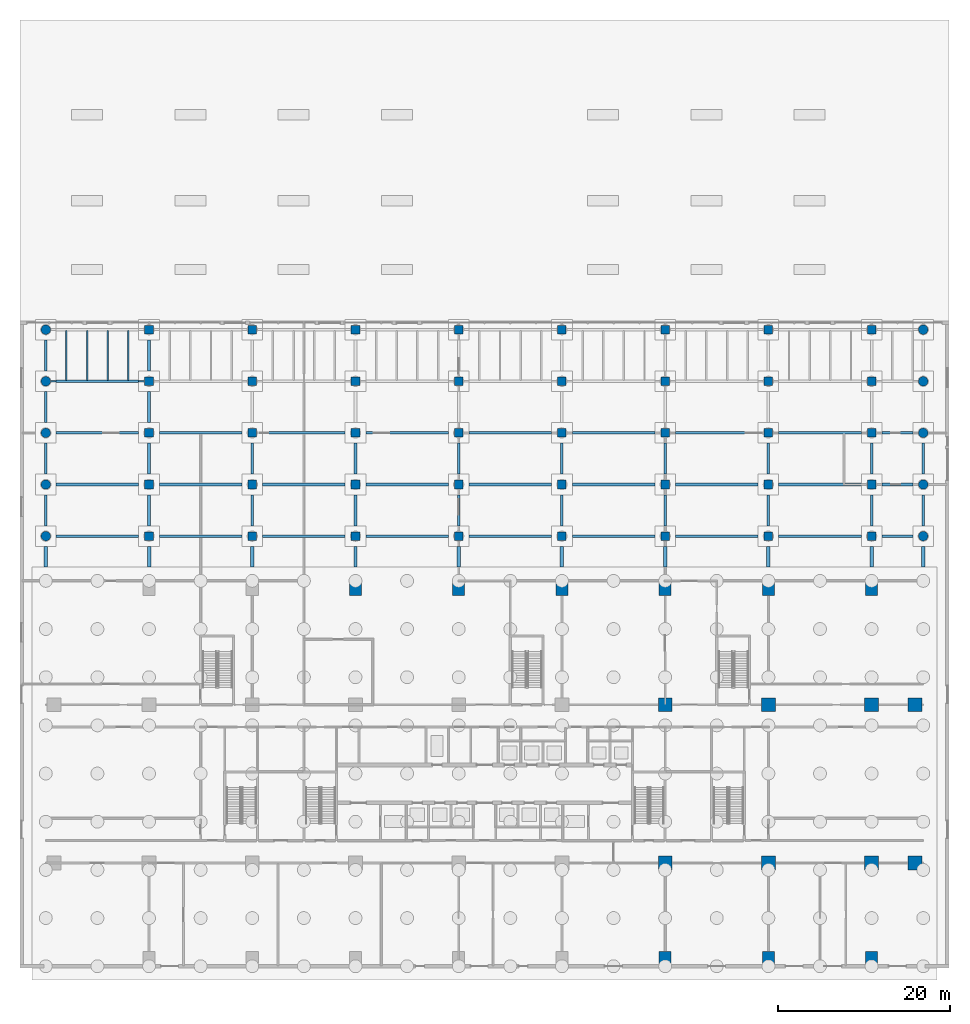
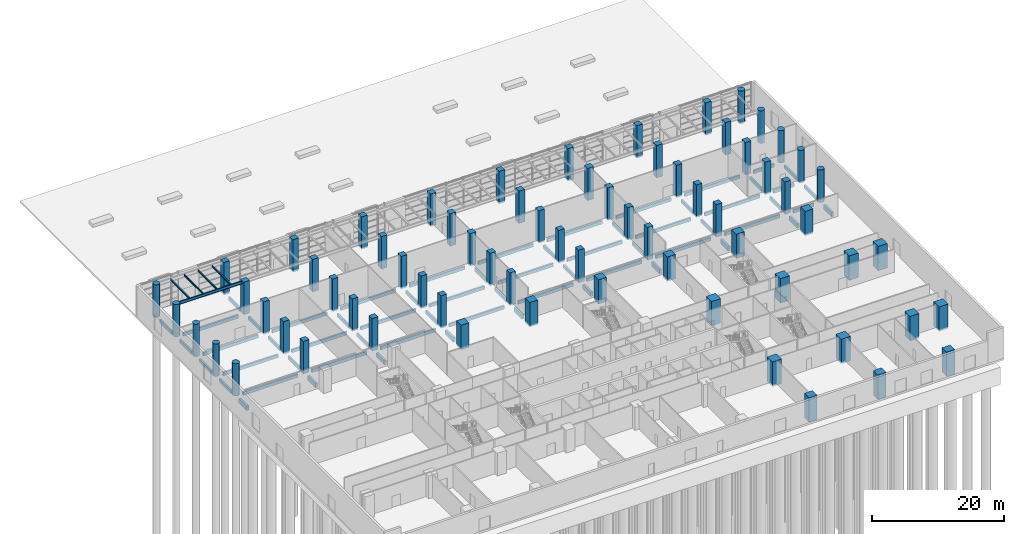
# One storey, part 2 of 27: 67 beams, 67 columns.
"""IFC4 building model written with IfcOpenShell, lengths in metres."""

from ifc_helpers import new_model, si_unit, direction, frame, origin, origin_2d, place, context, subcontext, project, spatial, rectangle, circle, i_section, extrude, source, transform, mapped, material, material_profile, profile_set, type_object, element, save


model = new_model("IFC4")

# Units and contexts
model_context = context("Model", 3, precision=1e-05, world=origin(), true_north=direction((0.0, 1.0)))
body_context = subcontext(model_context, "Body", "Model", "MODEL_VIEW")
ifc_project = project(units=[si_unit("LENGTHUNIT", "METRE"), si_unit("AREAUNIT", "SQUARE_METRE"), si_unit("VOLUMEUNIT", "CUBIC_METRE"), si_unit("PLANEANGLEUNIT", "RADIAN"), si_unit("MASSUNIT", "GRAM", prefix="KILO")], contexts=[model_context])

# Site, building, storey
site_placement = place(None, origin())
site = spatial("IfcSite", under=ifc_project, at=site_placement, CompositionType="ELEMENT")
building_placement = place(site_placement, origin())
building = spatial("IfcBuilding", under=site, at=building_placement, Name="Poui Terraces", CompositionType="ELEMENT")
storey_placement = place(building_placement, origin())
storey = spatial("IfcBuildingStorey", under=building, at=storey_placement, Name="L00", CompositionType="ELEMENT", Elevation=0.0)

# Columns
ifc_material_1 = material(Name="Concrete 80 MPa", Category="concrete")
ifc_material_profile_1 = material_profile(ifc_material_1, rectangle(XDim=1.60009765625, YDim=1.60009765625, at=origin_2d()), Name="RC 1600x1600")
ifc_profile_set_1 = profile_set([ifc_material_profile_1], Name="Concrete 80 MPa")
column_type_1 = type_object("IfcColumnType", Name="COLUMN 1600x1600 80MPa", PredefinedType="COLUMN", material=ifc_profile_set_1)
shared_shape_1 = source(origin(), body_context, "Body", "SweptSolid", [
    extrude(rectangle(XDim=1.60009765625, YDim=1.60009765625, at=origin_2d()), origin(), (0.0, 0.0, 1.0), 4.5),
])
for number, where, z_axis, x_axis, name in (
    (1, (72.0, 12.0, -0.300048828125), (0.0, 0.0, 1.0), (1.0, 0.0, 0.0), "COLUMN 7B"),
    (2, (72.0, 30.39990234375, -0.300048828125), (0.0, 0.0, 1.0), (1.0, 0.0, 0.0), "COLUMN 7E"),
    (3, (84.0, 12.0, -0.300048828125), (0.0, 0.0, 1.0), (1.0, 0.0, 0.0), "COLUMN 8B"),
    (4, (84.0, 30.39990234375, -0.300048828125), (0.0, 0.0, 1.0), (1.0, 0.0, 0.0), "COLUMN 8E"),
    (5, (96.0, 12.0, -0.300048828125), (0.0, 0.0, 1.0), (1.0, 0.0, 0.0), "COLUMN 9B"),
    (6, (96.0, 30.39990234375, -0.300048828125), (0.0, 0.0, 1.0), (1.0, 0.0, 0.0), "COLUMN 9E"),
    (7, (101.050048828125, 12.0, -0.300048828125), (0.0, 0.0, 1.0), (1.0, 0.0, 0.0), "COLUMN 10B"),
    (8, (101.050048828125, 30.39990234375, -0.300048828125), (0.0, 0.0, 1.0), (1.0, 0.0, 0.0), "COLUMN 10E"),
):
    element("IfcColumn", number, at=place(storey_placement, frame(where, z_axis=z_axis, x_axis=x_axis)), inside=storey, type_object=column_type_1, Name=name, PredefinedType="COLUMN", context=body_context, shape_type="MappedRepresentation", body=[
        mapped(shared_shape_1, transform((0.0, 0.0, 0.0))),
    ])
ifc_material_profile_2 = material_profile(ifc_material_1, rectangle(XDim=1.39990234375, YDim=1.39990234375, at=origin_2d()), Name="RC 1400x1400")
ifc_profile_set_2 = profile_set([ifc_material_profile_2], Name="Concrete 80 MPa")
column_type_2 = type_object("IfcColumnType", Name="COLUMN 1400x1400 80MPa", PredefinedType="COLUMN", material=ifc_profile_set_2)
shared_shape_2 = source(origin(), body_context, "Body", "SweptSolid", [
    extrude(rectangle(XDim=1.39990234375, YDim=1.39990234375, at=origin_2d()), origin(), (0.0, 0.0, 1.0), 4.5),
])
for number, where, z_axis, x_axis, name in (
    (9, (36.0, 43.800048828125, -0.300048828125), (0.0, 0.0, 1.0), (1.0, 0.0, 0.0), "COLUMN 4N"),
    (10, (48.0, 43.800048828125, -0.300048828125), (0.0, 0.0, 1.0), (1.0, 0.0, 0.0), "COLUMN 5N"),
    (11, (60.0, 43.800048828125, -0.300048828125), (0.0, 0.0, 1.0), (1.0, 0.0, 0.0), "COLUMN 6N"),
    (12, (72.0, 1.0, -0.300048828125), (0.0, 0.0, 1.0), (1.0, 0.0, 0.0), "COLUMN 7S"),
    (13, (72.0, 43.800048828125, -0.300048828125), (0.0, 0.0, 1.0), (1.0, 0.0, 0.0), "COLUMN 7N"),
    (14, (84.0, 1.0, -0.300048828125), (0.0, 0.0, 1.0), (1.0, 0.0, 0.0), "COLUMN 8S"),
    (15, (84.0, 43.800048828125, -0.300048828125), (0.0, 0.0, 1.0), (1.0, 0.0, 0.0), "COLUMN 8N"),
    (16, (96.0, 1.0, -0.300048828125), (0.0, 0.0, 1.0), (1.0, 0.0, 0.0), "COLUMN 9S"),
    (17, (96.0, 43.800048828125, -0.300048828125), (0.0, 0.0, 1.0), (1.0, 0.0, 0.0), "COLUMN 9N"),
):
    element("IfcColumn", number, at=place(storey_placement, frame(where, z_axis=z_axis, x_axis=x_axis)), inside=storey, type_object=column_type_2, Name=name, PredefinedType="COLUMN", context=body_context, shape_type="MappedRepresentation", body=[
        mapped(shared_shape_2, transform((0.0, 0.0, 0.0))),
    ])
ifc_material_profile_3 = material_profile(ifc_material_1, circle(Radius=0.550048828125, at=origin_2d()), Name="RC D1100")
ifc_profile_set_3 = profile_set([ifc_material_profile_3], Name="Concrete 80 MPa")
column_type_3 = type_object("IfcColumnType", Name="COLUMN D1100 80MPa", PredefinedType="COLUMN", material=ifc_profile_set_3)
shared_shape_3 = source(origin(), body_context, "Body", "SweptSolid", [
    extrude(circle(Radius=0.550048828125, at=origin_2d()), origin(), (0.0, 0.0, 1.0), 5.97998046875),
])
for number, where, z_axis, x_axis, name in (
    (18, (0.0, 74.0, -0.300048828125), (0.0, 0.0, 1.0), (1.0, 0.0, 0.0), "COLUMN P0-1R"),
    (19, (102.0, 74.0, -0.300048828125), (0.0, 0.0, 1.0), (1.0, 0.0, 0.0), "COLUMN P0-10R"),
    (20, (0.0, 68.0, -0.300048828125), (0.0, 0.0, 1.0), (1.0, 0.0, 0.0), "COLUMN P1-1R"),
    (21, (102.0, 68.0, -0.300048828125), (0.0, 0.0, 1.0), (1.0, 0.0, 0.0), "COLUMN P1-10R"),
    (22, (0.0, 62.0, -0.300048828125), (0.0, 0.0, 1.0), (1.0, 0.0, 0.0), "COLUMN P2-1R"),
    (23, (102.0, 62.0, -0.300048828125), (0.0, 0.0, 1.0), (1.0, 0.0, 0.0), "COLUMN P2-10R"),
    (24, (0.0, 56.0, -0.300048828125), (0.0, 0.0, 1.0), (1.0, 0.0, 0.0), "COLUMN P3-1R"),
    (25, (102.0, 56.0, -0.300048828125), (0.0, 0.0, 1.0), (1.0, 0.0, 0.0), "COLUMN P3-10R"),
    (26, (0.0, 50.0, -0.300048828125), (0.0, 0.0, 1.0), (1.0, 0.0, 0.0), "COLUMN P4-1R"),
    (27, (102.0, 50.0, -0.300048828125), (0.0, 0.0, 1.0), (1.0, 0.0, 0.0), "COLUMN P4-10R"),
):
    element("IfcColumn", number, at=place(storey_placement, frame(where, z_axis=z_axis, x_axis=x_axis)), inside=storey, type_object=column_type_3, Name=name, PredefinedType="COLUMN", context=body_context, shape_type="MappedRepresentation", body=[
        mapped(shared_shape_3, transform((0.0, 0.0, 0.0))),
    ])
ifc_material_profile_4 = material_profile(ifc_material_1, rectangle(XDim=1.0, YDim=1.0, at=origin_2d()), Name="RC 1000x1000")
ifc_profile_set_4 = profile_set([ifc_material_profile_4], Name="Concrete 80 MPa")
column_type_4 = type_object("IfcColumnType", Name="COLUMN 1000x1000 80MPa", PredefinedType="COLUMN", material=ifc_profile_set_4)
shared_shape_4 = source(origin(), body_context, "Body", "SweptSolid", [
    extrude(rectangle(XDim=1.0, YDim=1.0, at=origin_2d()), origin(), (0.0, 0.0, 1.0), 5.97998046875),
])
for number, where, z_axis, x_axis, name in (
    (28, (12.0, 74.0, -0.300048828125), (0.0, 0.0, 1.0), (1.0, 0.0, 0.0), "COLUMN P0-2"),
    (29, (24.0, 74.0, -0.300048828125), (0.0, 0.0, 1.0), (1.0, 0.0, 0.0), "COLUMN P0-3"),
    (30, (36.0, 74.0, -0.300048828125), (0.0, 0.0, 1.0), (1.0, 0.0, 0.0), "COLUMN P0-4"),
    (31, (48.0, 74.0, -0.300048828125), (0.0, 0.0, 1.0), (1.0, 0.0, 0.0), "COLUMN P0-5"),
    (32, (60.0, 74.0, -0.300048828125), (0.0, 0.0, 1.0), (1.0, 0.0, 0.0), "COLUMN P0-6"),
    (33, (72.0, 74.0, -0.300048828125), (0.0, 0.0, 1.0), (1.0, 0.0, 0.0), "COLUMN P0-7"),
    (34, (84.0, 74.0, -0.300048828125), (0.0, 0.0, 1.0), (1.0, 0.0, 0.0), "COLUMN P0-8"),
    (35, (96.0, 74.0, -0.300048828125), (0.0, 0.0, 1.0), (1.0, 0.0, 0.0), "COLUMN P0-9"),
    (36, (12.0, 68.0, -0.300048828125), (0.0, 0.0, 1.0), (1.0, 0.0, 0.0), "COLUMN P1-2"),
    (37, (24.0, 68.0, -0.300048828125), (0.0, 0.0, 1.0), (1.0, 0.0, 0.0), "COLUMN P1-3"),
    (38, (36.0, 68.0, -0.300048828125), (0.0, 0.0, 1.0), (1.0, 0.0, 0.0), "COLUMN P1-4"),
    (39, (48.0, 68.0, -0.300048828125), (0.0, 0.0, 1.0), (1.0, 0.0, 0.0), "COLUMN P1-5"),
    (40, (60.0, 68.0, -0.300048828125), (0.0, 0.0, 1.0), (1.0, 0.0, 0.0), "COLUMN P1-6"),
    (41, (72.0, 68.0, -0.300048828125), (0.0, 0.0, 1.0), (1.0, 0.0, 0.0), "COLUMN P1-7"),
    (42, (84.0, 68.0, -0.300048828125), (0.0, 0.0, 1.0), (1.0, 0.0, 0.0), "COLUMN P1-8"),
    (43, (96.0, 68.0, -0.300048828125), (0.0, 0.0, 1.0), (1.0, 0.0, 0.0), "COLUMN P1-9"),
    (44, (12.0, 62.0, -0.300048828125), (0.0, 0.0, 1.0), (1.0, 0.0, 0.0), "COLUMN P2-2"),
    (45, (24.0, 62.0, -0.300048828125), (0.0, 0.0, 1.0), (1.0, 0.0, 0.0), "COLUMN P2-3"),
    (46, (36.0, 62.0, -0.300048828125), (0.0, 0.0, 1.0), (1.0, 0.0, 0.0), "COLUMN P2-4"),
    (47, (48.0, 62.0, -0.300048828125), (0.0, 0.0, 1.0), (1.0, 0.0, 0.0), "COLUMN P2-5"),
    (48, (60.0, 62.0, -0.300048828125), (0.0, 0.0, 1.0), (1.0, 0.0, 0.0), "COLUMN P2-6"),
    (49, (72.0, 62.0, -0.300048828125), (0.0, 0.0, 1.0), (1.0, 0.0, 0.0), "COLUMN P2-7"),
    (50, (84.0, 62.0, -0.300048828125), (0.0, 0.0, 1.0), (1.0, 0.0, 0.0), "COLUMN P2-8"),
    (51, (96.0, 62.0, -0.300048828125), (0.0, 0.0, 1.0), (1.0, 0.0, 0.0), "COLUMN P2-9"),
    (52, (12.0, 56.0, -0.300048828125), (0.0, 0.0, 1.0), (1.0, 0.0, 0.0), "COLUMN P3-2"),
    (53, (24.0, 56.0, -0.300048828125), (0.0, 0.0, 1.0), (1.0, 0.0, 0.0), "COLUMN P3-3"),
    (54, (36.0, 56.0, -0.300048828125), (0.0, 0.0, 1.0), (1.0, 0.0, 0.0), "COLUMN P3-4"),
    (55, (48.0, 56.0, -0.300048828125), (0.0, 0.0, 1.0), (1.0, 0.0, 0.0), "COLUMN P3-5"),
    (56, (60.0, 56.0, -0.300048828125), (0.0, 0.0, 1.0), (1.0, 0.0, 0.0), "COLUMN P3-6"),
    (57, (72.0, 56.0, -0.300048828125), (0.0, 0.0, 1.0), (1.0, 0.0, 0.0), "COLUMN P3-7"),
    (58, (84.0, 56.0, -0.300048828125), (0.0, 0.0, 1.0), (1.0, 0.0, 0.0), "COLUMN P3-8"),
    (59, (96.0, 56.0, -0.300048828125), (0.0, 0.0, 1.0), (1.0, 0.0, 0.0), "COLUMN P3-9"),
    (60, (12.0, 50.0, -0.300048828125), (0.0, 0.0, 1.0), (1.0, 0.0, 0.0), "COLUMN P4-2"),
    (61, (24.0, 50.0, -0.300048828125), (0.0, 0.0, 1.0), (1.0, 0.0, 0.0), "COLUMN P4-3"),
    (62, (36.0, 50.0, -0.300048828125), (0.0, 0.0, 1.0), (1.0, 0.0, 0.0), "COLUMN P4-4"),
    (63, (48.0, 50.0, -0.300048828125), (0.0, 0.0, 1.0), (1.0, 0.0, 0.0), "COLUMN P4-5"),
    (64, (60.0, 50.0, -0.300048828125), (0.0, 0.0, 1.0), (1.0, 0.0, 0.0), "COLUMN P4-6"),
    (65, (72.0, 50.0, -0.300048828125), (0.0, 0.0, 1.0), (1.0, 0.0, 0.0), "COLUMN P4-7"),
    (66, (84.0, 50.0, -0.300048828125), (0.0, 0.0, 1.0), (1.0, 0.0, 0.0), "COLUMN P4-8"),
    (67, (96.0, 50.0, -0.300048828125), (0.0, 0.0, 1.0), (1.0, 0.0, 0.0), "COLUMN P4-9"),
):
    element("IfcColumn", number, at=place(storey_placement, frame(where, z_axis=z_axis, x_axis=x_axis)), inside=storey, type_object=column_type_4, Name=name, PredefinedType="COLUMN", context=body_context, shape_type="MappedRepresentation", body=[
        mapped(shared_shape_4, transform((0.0, 0.0, 0.0))),
    ])

# Beams
ifc_material_2 = material(Name="Concrete 50 MPa", Category="concrete")
ifc_material_profile_5 = material_profile(ifc_material_2, rectangle(XDim=0.300048828125, YDim=0.60009765625, at=origin_2d()), Name="RC 300x600")
ifc_profile_set_5 = profile_set([ifc_material_profile_5], Name="Concrete 50 MPa")
beam_type_1 = type_object("IfcBeamType", Name="GROUND TIE BEAM 300x600 50MPa", PredefinedType="BEAM", material=ifc_profile_set_5)
shared_shape_5 = source(origin(), body_context, "Body", "SweptSolid", [
    extrude(rectangle(XDim=0.300048828125, YDim=0.60009765625, at=origin_2d()), origin(), (0.0, 0.0, 1.0), 9.60009765625),
])
for number, where, z_axis, x_axis, name in (
    (68, (1.199951171875, 50.0, -0.60009765625), (1.0, 0.0, 0.0), (0.0, 1.0, 0.0), "GROUND TIE BEAM"),
    (69, (13.199951171875, 50.0, -0.60009765625), (1.0, 0.0, 0.0), (0.0, 1.0, 0.0), "GROUND TIE BEAM"),
    (70, (25.199951171875, 50.0, -0.60009765625), (1.0, 0.0, 0.0), (0.0, 1.0, 0.0), "GROUND TIE BEAM"),
    (71, (37.199951171875, 50.0, -0.60009765625), (1.0, 0.0, 0.0), (0.0, 1.0, 0.0), "GROUND TIE BEAM"),
    (72, (49.199951171875, 50.0, -0.60009765625), (1.0, 0.0, 0.0), (0.0, 1.0, 0.0), "GROUND TIE BEAM"),
    (73, (61.199951171875, 50.0, -0.60009765625), (1.0, 0.0, 0.0), (0.0, 1.0, 0.0), "GROUND TIE BEAM"),
    (74, (73.199951171875, 50.0, -0.60009765625), (1.0, 0.0, 0.0), (0.0, 1.0, 0.0), "GROUND TIE BEAM"),
    (75, (85.199951171875, 50.0, -0.60009765625), (1.0, 0.0, 0.0), (0.0, 1.0, 0.0), "GROUND TIE BEAM"),
    (76, (1.199951171875, 56.0, -0.60009765625), (1.0, 0.0, 0.0), (0.0, 1.0, 0.0), "GROUND TIE BEAM"),
    (77, (13.199951171875, 56.0, -0.60009765625), (1.0, 0.0, 0.0), (0.0, 1.0, 0.0), "GROUND TIE BEAM"),
    (78, (25.199951171875, 56.0, -0.60009765625), (1.0, 0.0, 0.0), (0.0, 1.0, 0.0), "GROUND TIE BEAM"),
    (79, (37.199951171875, 56.0, -0.60009765625), (1.0, 0.0, 0.0), (0.0, 1.0, 0.0), "GROUND TIE BEAM"),
    (80, (49.199951171875, 56.0, -0.60009765625), (1.0, 0.0, 0.0), (0.0, 1.0, 0.0), "GROUND TIE BEAM"),
    (81, (61.199951171875, 56.0, -0.60009765625), (1.0, 0.0, 0.0), (0.0, 1.0, 0.0), "GROUND TIE BEAM"),
    (82, (73.199951171875, 56.0, -0.60009765625), (1.0, 0.0, 0.0), (0.0, 1.0, 0.0), "GROUND TIE BEAM"),
    (83, (85.199951171875, 56.0, -0.60009765625), (1.0, 0.0, 0.0), (0.0, 1.0, 0.0), "GROUND TIE BEAM"),
    (84, (1.199951171875, 62.0, -0.60009765625), (1.0, 0.0, 0.0), (0.0, 1.0, 0.0), "GROUND TIE BEAM"),
    (85, (13.199951171875, 62.0, -0.60009765625), (1.0, 0.0, 0.0), (0.0, 1.0, 0.0), "GROUND TIE BEAM"),
    (86, (25.199951171875, 62.0, -0.60009765625), (1.0, 0.0, 0.0), (0.0, 1.0, 0.0), "GROUND TIE BEAM"),
    (87, (37.199951171875, 62.0, -0.60009765625), (1.0, 0.0, 0.0), (0.0, 1.0, 0.0), "GROUND TIE BEAM"),
    (88, (49.199951171875, 62.0, -0.60009765625), (1.0, 0.0, 0.0), (0.0, 1.0, 0.0), "GROUND TIE BEAM"),
    (89, (61.199951171875, 62.0, -0.60009765625), (1.0, 0.0, 0.0), (0.0, 1.0, 0.0), "GROUND TIE BEAM"),
    (90, (73.199951171875, 62.0, -0.60009765625), (1.0, 0.0, 0.0), (0.0, 1.0, 0.0), "GROUND TIE BEAM"),
    (91, (85.199951171875, 62.0, -0.60009765625), (1.0, 0.0, 0.0), (0.0, 1.0, 0.0), "GROUND TIE BEAM"),
    (92, (1.199951171875, 68.0, -0.60009765625), (1.0, 0.0, 0.0), (0.0, 1.0, 0.0), "GROUND TIE BEAM"),
):
    element("IfcBeam", number, at=place(storey_placement, frame(where, z_axis=z_axis, x_axis=x_axis)), inside=storey, type_object=beam_type_1, Name=name, PredefinedType="BEAM", context=body_context, shape_type="MappedRepresentation", body=[
        mapped(shared_shape_5, transform((0.0, 0.0, 0.0))),
    ])
shared_shape_6 = source(origin(), body_context, "Body", "SweptSolid", [
    extrude(rectangle(XDim=0.300048828125, YDim=0.60009765625, at=origin_2d()), origin(), (0.0, 0.0, 1.0), 3.60009765625),
])
for number, where, z_axis, x_axis, name in (
    (93, (97.199951171875, 50.0, -0.60009765625), (1.0, 0.0, 0.0), (0.0, 1.0, 0.0), "GROUND TIE BEAM"),
    (94, (97.199951171875, 56.0, -0.60009765625), (1.0, 0.0, 0.0), (0.0, 1.0, 0.0), "GROUND TIE BEAM"),
    (95, (97.199951171875, 62.0, -0.60009765625), (1.0, 0.0, 0.0), (0.0, 1.0, 0.0), "GROUND TIE BEAM"),
    (96, (0.0, 51.199951171875, -0.60009765625), (0.0, 1.0, 0.0), (-1.0, 0.0, 0.0), "GROUND TIE BEAM"),
    (97, (12.0, 51.199951171875, -0.60009765625), (0.0, 1.0, 0.0), (-1.0, 0.0, 0.0), "GROUND TIE BEAM"),
    (98, (24.0, 51.199951171875, -0.60009765625), (0.0, 1.0, 0.0), (-1.0, 0.0, 0.0), "GROUND TIE BEAM"),
    (99, (36.0, 51.199951171875, -0.60009765625), (0.0, 1.0, 0.0), (-1.0, 0.0, 0.0), "GROUND TIE BEAM"),
    (100, (48.0, 51.199951171875, -0.60009765625), (0.0, 1.0, 0.0), (-1.0, 0.0, 0.0), "GROUND TIE BEAM"),
    (101, (60.0, 51.199951171875, -0.60009765625), (0.0, 1.0, 0.0), (-1.0, 0.0, 0.0), "GROUND TIE BEAM"),
    (102, (72.0, 51.199951171875, -0.60009765625), (0.0, 1.0, 0.0), (-1.0, 0.0, 0.0), "GROUND TIE BEAM"),
    (103, (84.0, 51.199951171875, -0.60009765625), (0.0, 1.0, 0.0), (-1.0, 0.0, 0.0), "GROUND TIE BEAM"),
    (104, (96.0, 51.199951171875, -0.60009765625), (0.0, 1.0, 0.0), (-1.0, 0.0, 0.0), "GROUND TIE BEAM"),
    (105, (102.0, 51.199951171875, -0.60009765625), (0.0, 1.0, 0.0), (-1.0, 0.0, 0.0), "GROUND TIE BEAM"),
    (106, (0.0, 57.199951171875, -0.60009765625), (0.0, 1.0, 0.0), (-1.0, 0.0, 0.0), "GROUND TIE BEAM"),
    (107, (12.0, 57.199951171875, -0.60009765625), (0.0, 1.0, 0.0), (-1.0, 0.0, 0.0), "GROUND TIE BEAM"),
    (108, (24.0, 57.199951171875, -0.60009765625), (0.0, 1.0, 0.0), (-1.0, 0.0, 0.0), "GROUND TIE BEAM"),
    (109, (36.0, 57.199951171875, -0.60009765625), (0.0, 1.0, 0.0), (-1.0, 0.0, 0.0), "GROUND TIE BEAM"),
    (110, (48.0, 57.199951171875, -0.60009765625), (0.0, 1.0, 0.0), (-1.0, 0.0, 0.0), "GROUND TIE BEAM"),
    (111, (60.0, 57.199951171875, -0.60009765625), (0.0, 1.0, 0.0), (-1.0, 0.0, 0.0), "GROUND TIE BEAM"),
    (112, (72.0, 57.199951171875, -0.60009765625), (0.0, 1.0, 0.0), (-1.0, 0.0, 0.0), "GROUND TIE BEAM"),
    (113, (84.0, 57.199951171875, -0.60009765625), (0.0, 1.0, 0.0), (-1.0, 0.0, 0.0), "GROUND TIE BEAM"),
    (114, (96.0, 57.199951171875, -0.60009765625), (0.0, 1.0, 0.0), (-1.0, 0.0, 0.0), "GROUND TIE BEAM"),
    (115, (102.0, 57.199951171875, -0.60009765625), (0.0, 1.0, 0.0), (-1.0, 0.0, 0.0), "GROUND TIE BEAM"),
    (116, (0.0, 63.199951171875, -0.60009765625), (0.0, 1.0, 0.0), (-1.0, 0.0, 0.0), "GROUND TIE BEAM"),
    (117, (12.0, 63.199951171875, -0.60009765625), (0.0, 1.0, 0.0), (-1.0, 0.0, 0.0), "GROUND TIE BEAM"),
    (118, (0.0, 69.199951171875, -0.60009765625), (0.0, 1.0, 0.0), (-1.0, 0.0, 0.0), "GROUND TIE BEAM"),
    (119, (12.0, 69.199951171875, -0.60009765625), (0.0, 1.0, 0.0), (-1.0, 0.0, 0.0), "GROUND TIE BEAM"),
):
    element("IfcBeam", number, at=place(storey_placement, frame(where, z_axis=z_axis, x_axis=x_axis)), inside=storey, type_object=beam_type_1, Name=name, PredefinedType="BEAM", context=body_context, shape_type="MappedRepresentation", body=[
        mapped(shared_shape_6, transform((0.0, 0.0, 0.0))),
    ])
ifc_material_profile_6 = material_profile(ifc_material_2, rectangle(XDim=0.39990234375, YDim=0.800048828125, at=origin_2d()), Name="RC 400x800")
ifc_profile_set_6 = profile_set([ifc_material_profile_6], Name="Concrete 50 MPa")
beam_type_2 = type_object("IfcBeamType", Name="RAFT TIE BEAM 400x800 50MPa", PredefinedType="BEAM", material=ifc_profile_set_6)
shared_shape_7 = source(origin(), body_context, "Body", "SweptSolid", [
    extrude(rectangle(XDim=0.39990234375, YDim=0.800048828125, at=origin_2d()), origin(), (0.0, 0.0, 1.0), 2.400146484375),
])
for number, where, z_axis, x_axis, name in (
    (120, (0.0, 46.39990234375, -0.699951171875), (0.0, 1.0, 0.0), (-1.0, 0.0, 0.0), "RAFT TIE BEAM"),
    (121, (12.0, 46.39990234375, -0.699951171875), (0.0, 1.0, 0.0), (-1.0, 0.0, 0.0), "RAFT TIE BEAM"),
    (122, (24.0, 46.39990234375, -0.699951171875), (0.0, 1.0, 0.0), (-1.0, 0.0, 0.0), "RAFT TIE BEAM"),
    (123, (36.0, 46.39990234375, -0.699951171875), (0.0, 1.0, 0.0), (-1.0, 0.0, 0.0), "RAFT TIE BEAM"),
    (124, (48.0, 46.39990234375, -0.699951171875), (0.0, 1.0, 0.0), (-1.0, 0.0, 0.0), "RAFT TIE BEAM"),
    (125, (60.0, 46.39990234375, -0.699951171875), (0.0, 1.0, 0.0), (-1.0, 0.0, 0.0), "RAFT TIE BEAM"),
    (126, (72.0, 46.39990234375, -0.699951171875), (0.0, 1.0, 0.0), (-1.0, 0.0, 0.0), "RAFT TIE BEAM"),
    (127, (84.0, 46.39990234375, -0.699951171875), (0.0, 1.0, 0.0), (-1.0, 0.0, 0.0), "RAFT TIE BEAM"),
    (128, (96.0, 46.39990234375, -0.699951171875), (0.0, 1.0, 0.0), (-1.0, 0.0, 0.0), "RAFT TIE BEAM"),
    (129, (102.0, 46.39990234375, -0.699951171875), (0.0, 1.0, 0.0), (-1.0, 0.0, 0.0), "RAFT TIE BEAM"),
):
    element("IfcBeam", number, at=place(storey_placement, frame(where, z_axis=z_axis, x_axis=x_axis)), inside=storey, type_object=beam_type_2, Name=name, PredefinedType="BEAM", context=body_context, shape_type="MappedRepresentation", body=[
        mapped(shared_shape_7, transform((0.0, 0.0, 0.0))),
    ])
ifc_material_3 = material(Name="Steel Grade 300 MPa", Category="steel")
ifc_material_profile_7 = material_profile(ifc_material_3, i_section(OverallWidth=0.208984375, OverallDepth=0.532958984375, WebThickness=0.01025390625, FlangeThickness=0.015625, FilletRadius=0.013916015625, at=origin_2d()), Name="530UB92.4")
ifc_profile_set_7 = profile_set([ifc_material_profile_7], Name="Steel Grade 300 MPa")
beam_type_3 = type_object("IfcBeamType", Name="TERRACE INNER GIRDER 530UB92.4", PredefinedType="BEAM", material=ifc_profile_set_7)
shared_shape_8 = source(origin(), body_context, "Body", "SweptSolid", [
    extrude(i_section(OverallWidth=0.208984375, OverallDepth=0.532958984375, WebThickness=0.01025390625, FlangeThickness=0.015625, FilletRadius=0.013916015625, at=origin_2d()), origin(), (0.0, 0.0, 1.0), 10.949951171875),
])
beam_placement = place(storey_placement, frame((0.550048828125, 68.0, 5.41357421875), z_axis=(1.0, 0.0, 0.0), x_axis=(0.0, 1.0, 0.0)))
element("IfcBeam", 130, at=beam_placement, inside=storey, type_object=beam_type_3, Name="TERRACE GIRDER", PredefinedType="BEAM", context=body_context, shape_type="MappedRepresentation", body=[
    mapped(shared_shape_8, transform((0.0, 0.0, 0.0))),
])
ifc_material_profile_8 = material_profile(ifc_material_3, i_section(OverallWidth=0.166015625, OverallDepth=0.30712890625, WebThickness=0.006591796875, FlangeThickness=0.01171875, FilletRadius=0.011474609375, at=origin_2d()), Name="310UB46.2")
ifc_profile_set_8 = profile_set([ifc_material_profile_8], Name="Steel Grade 300 MPa")
beam_type_4 = type_object("IfcBeamType", Name="TERRACE BEAM 310UB46.2", PredefinedType="BEAM", material=ifc_profile_set_8)
shared_shape_9 = source(origin(), body_context, "Body", "SweptSolid", [
    extrude(i_section(OverallWidth=0.166015625, OverallDepth=0.30712890625, WebThickness=0.006591796875, FlangeThickness=0.01171875, FilletRadius=0.011474609375, at=origin_2d()), origin(), (0.0, 0.0, 1.0), 5.781005859375),
])
for number, where, z_axis, x_axis, name in (
    (131, (2.39990234375, 68.1044921875, 5.5263671875), (0.0, 1.0, 0.0), (-1.0, 0.0, 0.0), "TERRACE BEAM"),
    (132, (4.800048828125, 68.1044921875, 5.5263671875), (0.0, 1.0, 0.0), (-1.0, 0.0, 0.0), "TERRACE BEAM"),
    (133, (7.199951171875, 68.1044921875, 5.5263671875), (0.0, 1.0, 0.0), (-1.0, 0.0, 0.0), "TERRACE BEAM"),
    (134, (9.60009765625, 68.1044921875, 5.5263671875), (0.0, 1.0, 0.0), (-1.0, 0.0, 0.0), "TERRACE BEAM"),
):
    element("IfcBeam", number, at=place(storey_placement, frame(where, z_axis=z_axis, x_axis=x_axis)), inside=storey, type_object=beam_type_4, Name=name, PredefinedType="BEAM", context=body_context, shape_type="MappedRepresentation", body=[
        mapped(shared_shape_9, transform((0.0, 0.0, 0.0))),
    ])

save(model, "model.ifc")
